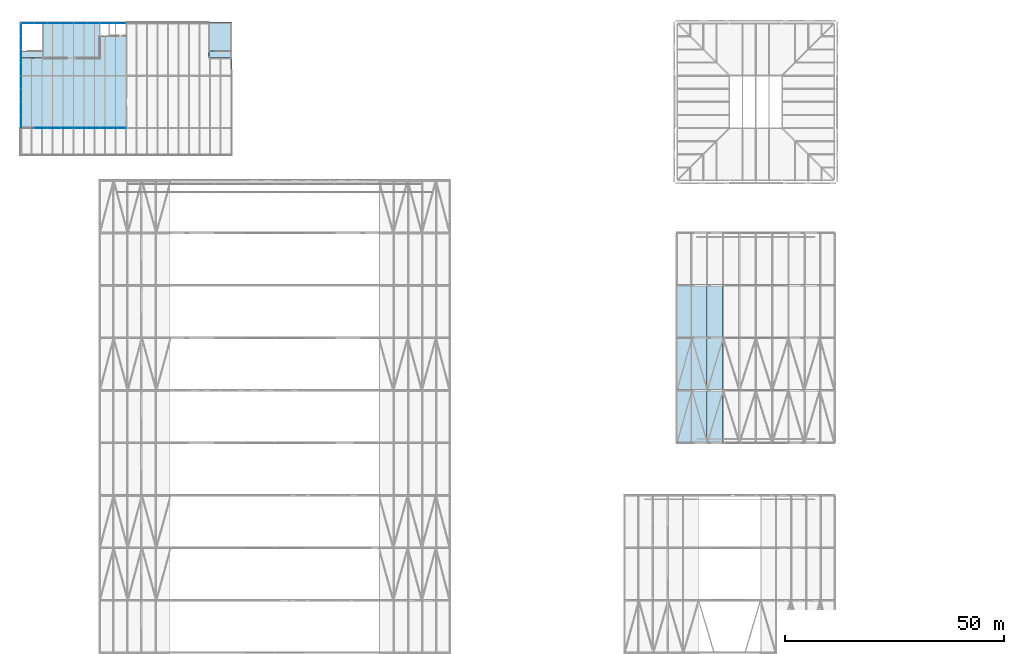
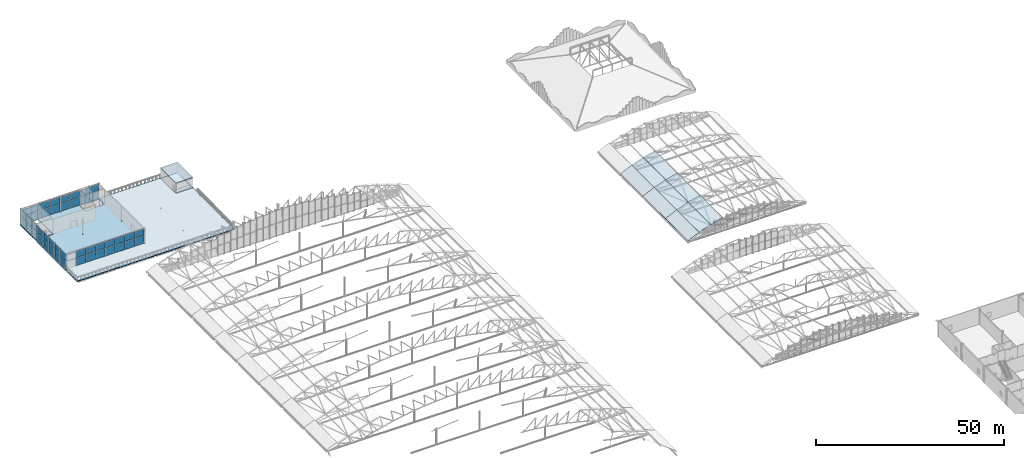
# One storey, part 253 of 321: 46 plates, 13 slabs, 3 elements without a shape of their own.
"""IFC4 building model written with IfcOpenShell, lengths in metres."""

from ifc_helpers import new_model, si_unit, direction, frame, origin, origin_2d, place, context, subcontext, project, spatial, polyline, rectangle, outline, extrude, material, layer, layer_set, type_object, element, aggregate, save


model = new_model("IFC4")

# Units and contexts
model_context = context("Model", 3, precision=1e-05, world=origin(), true_north=direction((0.0, 1.0)))
body_context = subcontext(model_context, "Body", "Model", "MODEL_VIEW")
ifc_project = project(units=[si_unit("LENGTHUNIT", "METRE"), si_unit("AREAUNIT", "SQUARE_METRE"), si_unit("VOLUMEUNIT", "CUBIC_METRE"), si_unit("PLANEANGLEUNIT", "RADIAN"), si_unit("MASSUNIT", "GRAM", prefix="KILO")], contexts=[model_context])

# Site, building, storey
site_placement = place(None, origin())
site = spatial("IfcSite", under=ifc_project, at=site_placement, CompositionType="ELEMENT")
building_placement = place(site_placement, origin())
building = spatial("IfcBuilding", under=site, at=building_placement, Name="Ravi Spectrum Wholesale Market", CompositionType="ELEMENT")
storey_placement = place(building_placement, frame((0.0, 0.0, 10.800048828125)))
storey = spatial("IfcBuildingStorey", under=building, at=storey_placement, Name="L02", CompositionType="ELEMENT", Elevation=10.800048828125)

# Slabs
ifc_material_1 = material(Name="Concrete C35/45", Category="concrete")
ifc_layer_1 = layer(ifc_material_1, 0.25)
ifc_layer_set_1 = layer_set([ifc_layer_1], Name="Concrete C35/45")
slab_type_1 = type_object("IfcSlabType", Name="Flat roof slab 250", PredefinedType="ROOF", material=ifc_layer_set_1)
slab_1_placement = place(storey_placement, frame((0.0, 0.0, -0.25)))
element("IfcSlab", 1, at=slab_1_placement, inside=storey, type_object=slab_type_1, Name="Public roof deck slab", PredefinedType="ROOF", context=body_context, shape_type="SweptSolid", body=[
    extrude(outline(polyline([(11.75, 203.75), (11.75, 234.25), (60.25, 234.25), (60.25, 203.75), (11.75, 203.75)]), holes=[polyline([(12.177734375, 203.822265625), (12.177734375, 204.177734375), (11.822265625, 204.177734375), (11.822265625, 203.822265625), (12.177734375, 203.822265625)]), polyline([(23.822265625, 203.822265625), (24.177734375, 203.822265625), (24.177734375, 204.177734375), (23.822265625, 204.177734375), (23.822265625, 203.822265625)]), polyline([(35.822265625, 203.822265625), (36.177734375, 203.822265625), (36.177734375, 204.177734375), (35.822265625, 204.177734375), (35.822265625, 203.822265625)]), polyline([(12.14990234375, 209.85009765625), (12.14990234375, 210.14990234375), (11.85009765625, 210.14990234375), (11.85009765625, 209.85009765625), (12.14990234375, 209.85009765625)]), polyline([(23.85009765625, 209.85009765625), (24.14990234375, 209.85009765625), (24.14990234375, 210.14990234375), (23.85009765625, 210.14990234375), (23.85009765625, 209.85009765625)]), polyline([(11.85009765625, 221.85009765625), (12.14990234375, 221.85009765625), (12.14990234375, 222.14990234375), (11.85009765625, 222.14990234375), (11.85009765625, 221.85009765625)]), polyline([(24.14990234375, 221.85009765625), (24.14990234375, 222.14990234375), (23.85009765625, 222.14990234375), (23.85009765625, 221.85009765625), (24.14990234375, 221.85009765625)]), polyline([(11.875, 225.875), (17.125, 225.875), (17.125, 234.125), (12.14990234375, 234.125), (12.14990234375, 234.14990234375), (11.85009765625, 234.14990234375), (11.85009765625, 233.85009765625), (11.875, 233.85009765625), (11.875, 225.875)]), polyline([(35.89990234375, 233.85009765625), (36.14990234375, 233.85009765625), (36.14990234375, 234.14990234375), (35.85009765625, 234.14990234375), (35.85009765625, 233.89990234375), (32.27490234375, 233.89990234375), (32.27490234375, 234.125), (29.875, 234.125), (29.875, 230.925048828125), (32.27490234375, 230.925048828125), (32.27490234375, 231.14990234375), (35.89990234375, 231.14990234375), (35.89990234375, 233.85009765625)]), polyline([(23.85009765625, 233.85009765625), (24.14990234375, 233.85009765625), (24.14990234375, 234.14990234375), (23.85009765625, 234.14990234375), (23.85009765625, 233.85009765625)]), polyline([(48.177734375, 203.822265625), (48.177734375, 204.177734375), (47.822265625, 204.177734375), (47.822265625, 203.822265625), (48.177734375, 203.822265625)]), polyline([(59.822265625, 203.822265625), (60.177734375, 203.822265625), (60.177734375, 204.177734375), (59.822265625, 204.177734375), (59.822265625, 203.822265625)]), polyline([(35.85009765625, 209.85009765625), (36.14990234375, 209.85009765625), (36.14990234375, 210.14990234375), (35.85009765625, 210.14990234375), (35.85009765625, 209.85009765625)]), polyline([(48.14990234375, 209.85009765625), (48.14990234375, 210.14990234375), (47.85009765625, 210.14990234375), (47.85009765625, 209.85009765625), (48.14990234375, 209.85009765625)]), polyline([(59.85009765625, 209.85009765625), (60.14990234375, 209.85009765625), (60.14990234375, 210.14990234375), (59.85009765625, 210.14990234375), (59.85009765625, 209.85009765625)]), polyline([(35.85009765625, 221.85009765625), (36.14990234375, 221.85009765625), (36.14990234375, 222.14990234375), (35.85009765625, 222.14990234375), (35.85009765625, 221.85009765625)]), polyline([(48.14990234375, 221.85009765625), (48.14990234375, 222.14990234375), (47.85009765625, 222.14990234375), (47.85009765625, 221.85009765625), (48.14990234375, 221.85009765625)]), polyline([(59.85009765625, 221.85009765625), (60.14990234375, 221.85009765625), (60.14990234375, 222.14990234375), (59.85009765625, 222.14990234375), (59.85009765625, 221.85009765625)]), polyline([(54.875, 225.875), (60.125, 225.875), (60.125, 233.85009765625), (60.14990234375, 233.85009765625), (60.14990234375, 234.14990234375), (59.85009765625, 234.14990234375), (59.85009765625, 234.125), (54.875, 234.125), (54.875, 225.875)]), polyline([(47.85009765625, 233.85009765625), (48.14990234375, 233.85009765625), (48.14990234375, 234.14990234375), (47.85009765625, 234.14990234375), (47.85009765625, 233.85009765625)])]), origin(), (0.0, 0.0, 1.0), 0.25),
])
slab_2_placement = place(storey_placement, frame((0.0, 0.0, 3.199951171875)))
element("IfcSlab", 2, at=slab_2_placement, inside=storey, type_object=slab_type_1, Name="Head house roof Stair S-OF-2", PredefinedType="ROOF", context=body_context, shape_type="SweptSolid", body=[
    extrude(outline(polyline([(60.125, 225.875), (60.125, 234.125), (54.875, 234.125), (54.875, 225.875), (60.125, 225.875)])), origin(), (0.0, 0.0, 1.0), 0.25),
])

# Curtain wall, plates
ifc_material_2 = material(Name="Aluminium 6063-T6", Category="aluminium")
ifc_layer_2 = layer(ifc_material_2, 0.14990234375)
ifc_layer_set_2 = layer_set([ifc_layer_2], Name="Aluminium 6063-T6")
curtain_wall_type = type_object("IfcCurtainWallType", Name="Curtain wall 150", PredefinedType="NOTDEFINED", material=ifc_layer_set_2)
curtain_wall_1_placement = place(storey_placement, origin())
curtain_wall_1 = element("IfcCurtainWall", 3, at=curtain_wall_1_placement, inside=storey, type_object=curtain_wall_type, Name="OF-CW-L02-001", PredefinedType="NOTDEFINED")
ifc_material_3 = material(Name="Toughened glass", Category="glass")
ifc_layer_3 = layer(ifc_material_3, 0.028076171875)
ifc_layer_set_3 = layer_set([ifc_layer_3], Name="Toughened glass")
plate_type_1 = type_object("IfcPlateType", Name="Glazing panel 28", PredefinedType="CURTAIN_PANEL", material=ifc_layer_set_3)
plate_1_placement = place(storey_placement, frame((12.0, 214.5, 0.06005859375), z_axis=(0.0, 0.0, 1.0), x_axis=(0.0, 1.0, 0.0)))
plate_1 = element("IfcPlate", 4, at=plate_1_placement, type_object=plate_type_1, Name="OF-CW-L02-001 panel 2.1", PredefinedType="CURTAIN_PANEL", context=body_context, shape_type="SweptSolid", body=[
    extrude(rectangle(XDim=2.93994140625, YDim=0.028076171875, at=origin_2d()), origin(), (0.0, 0.0, 1.0), 2.610107421875),
])
plate_2_placement = place(storey_placement, frame((12.0, 214.5, 2.72998046875), z_axis=(0.0, 0.0, 1.0), x_axis=(0.0, 1.0, 0.0)))
plate_2 = element("IfcPlate", 5, at=plate_2_placement, type_object=plate_type_1, Name="OF-CW-L02-001 panel 2.2", PredefinedType="CURTAIN_PANEL", context=body_context, shape_type="SweptSolid", body=[
    extrude(rectangle(XDim=2.93994140625, YDim=0.028076171875, at=origin_2d()), origin(), (0.0, 0.0, 1.0), 2.030029296875),
])
plate_3_placement = place(storey_placement, frame((12.0, 217.5, 0.06005859375), z_axis=(0.0, 0.0, 1.0), x_axis=(0.0, 1.0, 0.0)))
plate_3 = element("IfcPlate", 6, at=plate_3_placement, type_object=plate_type_1, Name="OF-CW-L02-001 panel 3.1", PredefinedType="CURTAIN_PANEL", context=body_context, shape_type="SweptSolid", body=[
    extrude(rectangle(XDim=2.93994140625, YDim=0.028076171875, at=origin_2d()), origin(), (0.0, 0.0, 1.0), 2.610107421875),
])
plate_4_placement = place(storey_placement, frame((12.0, 217.5, 2.72998046875), z_axis=(0.0, 0.0, 1.0), x_axis=(0.0, 1.0, 0.0)))
plate_4 = element("IfcPlate", 7, at=plate_4_placement, type_object=plate_type_1, Name="OF-CW-L02-001 panel 3.2", PredefinedType="CURTAIN_PANEL", context=body_context, shape_type="SweptSolid", body=[
    extrude(rectangle(XDim=2.93994140625, YDim=0.028076171875, at=origin_2d()), origin(), (0.0, 0.0, 1.0), 2.030029296875),
])
plate_5_placement = place(storey_placement, frame((12.0, 226.5, 0.06005859375), z_axis=(0.0, 0.0, 1.0), x_axis=(0.0, 1.0, 0.0)))
plate_5 = element("IfcPlate", 8, at=plate_5_placement, type_object=plate_type_1, Name="OF-CW-L02-001 panel 6.1", PredefinedType="CURTAIN_PANEL", context=body_context, shape_type="SweptSolid", body=[
    extrude(rectangle(XDim=2.93994140625, YDim=0.028076171875, at=origin_2d()), origin(), (0.0, 0.0, 1.0), 2.610107421875),
])
plate_6_placement = place(storey_placement, frame((12.0, 226.5, 2.72998046875), z_axis=(0.0, 0.0, 1.0), x_axis=(0.0, 1.0, 0.0)))
plate_6 = element("IfcPlate", 9, at=plate_6_placement, type_object=plate_type_1, Name="OF-CW-L02-001 panel 6.2", PredefinedType="CURTAIN_PANEL", context=body_context, shape_type="SweptSolid", body=[
    extrude(rectangle(XDim=2.93994140625, YDim=0.028076171875, at=origin_2d()), origin(), (0.0, 0.0, 1.0), 2.030029296875),
])
plate_7_placement = place(storey_placement, frame((12.0, 229.5, 0.06005859375), z_axis=(0.0, 0.0, 1.0), x_axis=(0.0, 1.0, 0.0)))
plate_7 = element("IfcPlate", 10, at=plate_7_placement, type_object=plate_type_1, Name="OF-CW-L02-001 panel 7.1", PredefinedType="CURTAIN_PANEL", context=body_context, shape_type="SweptSolid", body=[
    extrude(rectangle(XDim=2.93994140625, YDim=0.028076171875, at=origin_2d()), origin(), (0.0, 0.0, 1.0), 2.610107421875),
])
plate_8_placement = place(storey_placement, frame((12.0, 229.5, 2.72998046875), z_axis=(0.0, 0.0, 1.0), x_axis=(0.0, 1.0, 0.0)))
plate_8 = element("IfcPlate", 11, at=plate_8_placement, type_object=plate_type_1, Name="OF-CW-L02-001 panel 7.2", PredefinedType="CURTAIN_PANEL", context=body_context, shape_type="SweptSolid", body=[
    extrude(rectangle(XDim=2.93994140625, YDim=0.028076171875, at=origin_2d()), origin(), (0.0, 0.0, 1.0), 2.030029296875),
])

curtain_wall_2_placement = place(storey_placement, origin())
curtain_wall_2 = element("IfcCurtainWall", 12, at=curtain_wall_2_placement, inside=storey, type_object=curtain_wall_type, Name="OF-CW-L02-002", PredefinedType="NOTDEFINED")
plate_9_placement = place(storey_placement, frame((16.5, 210.0, 0.06005859375), z_axis=(0.0, 0.0, 1.0), x_axis=(1.0, 0.0, 0.0)))
plate_9 = element("IfcPlate", 13, at=plate_9_placement, type_object=plate_type_1, Name="OF-CW-L02-002 panel 2.1", PredefinedType="CURTAIN_PANEL", context=body_context, shape_type="SweptSolid", body=[
    extrude(rectangle(XDim=2.93994140625, YDim=0.028076171875, at=origin_2d()), origin(), (0.0, 0.0, 1.0), 2.610107421875),
])
plate_10_placement = place(storey_placement, frame((16.5, 210.0, 2.72998046875), z_axis=(0.0, 0.0, 1.0), x_axis=(1.0, 0.0, 0.0)))
plate_10 = element("IfcPlate", 14, at=plate_10_placement, type_object=plate_type_1, Name="OF-CW-L02-002 panel 2.2", PredefinedType="CURTAIN_PANEL", context=body_context, shape_type="SweptSolid", body=[
    extrude(rectangle(XDim=2.93994140625, YDim=0.028076171875, at=origin_2d()), origin(), (0.0, 0.0, 1.0), 2.030029296875),
])
plate_11_placement = place(storey_placement, frame((19.5, 210.0, 0.06005859375), z_axis=(0.0, 0.0, 1.0), x_axis=(1.0, 0.0, 0.0)))
plate_11 = element("IfcPlate", 15, at=plate_11_placement, type_object=plate_type_1, Name="OF-CW-L02-002 panel 3.1", PredefinedType="CURTAIN_PANEL", context=body_context, shape_type="SweptSolid", body=[
    extrude(rectangle(XDim=2.93994140625, YDim=0.028076171875, at=origin_2d()), origin(), (0.0, 0.0, 1.0), 2.610107421875),
])
plate_12_placement = place(storey_placement, frame((19.5, 210.0, 2.72998046875), z_axis=(0.0, 0.0, 1.0), x_axis=(1.0, 0.0, 0.0)))
plate_12 = element("IfcPlate", 16, at=plate_12_placement, type_object=plate_type_1, Name="OF-CW-L02-002 panel 3.2", PredefinedType="CURTAIN_PANEL", context=body_context, shape_type="SweptSolid", body=[
    extrude(rectangle(XDim=2.93994140625, YDim=0.028076171875, at=origin_2d()), origin(), (0.0, 0.0, 1.0), 2.030029296875),
])
plate_13_placement = place(storey_placement, frame((28.5, 210.0, 0.06005859375), z_axis=(0.0, 0.0, 1.0), x_axis=(1.0, 0.0, 0.0)))
plate_13 = element("IfcPlate", 17, at=plate_13_placement, type_object=plate_type_1, Name="OF-CW-L02-002 panel 6.1", PredefinedType="CURTAIN_PANEL", context=body_context, shape_type="SweptSolid", body=[
    extrude(rectangle(XDim=2.93994140625, YDim=0.028076171875, at=origin_2d()), origin(), (0.0, 0.0, 1.0), 2.610107421875),
])
plate_14_placement = place(storey_placement, frame((28.5, 210.0, 2.72998046875), z_axis=(0.0, 0.0, 1.0), x_axis=(1.0, 0.0, 0.0)))
plate_14 = element("IfcPlate", 18, at=plate_14_placement, type_object=plate_type_1, Name="OF-CW-L02-002 panel 6.2", PredefinedType="CURTAIN_PANEL", context=body_context, shape_type="SweptSolid", body=[
    extrude(rectangle(XDim=2.93994140625, YDim=0.028076171875, at=origin_2d()), origin(), (0.0, 0.0, 1.0), 2.030029296875),
])
plate_15_placement = place(storey_placement, frame((31.5, 210.0, 0.06005859375), z_axis=(0.0, 0.0, 1.0), x_axis=(1.0, 0.0, 0.0)))
plate_15 = element("IfcPlate", 19, at=plate_15_placement, type_object=plate_type_1, Name="OF-CW-L02-002 panel 7.1", PredefinedType="CURTAIN_PANEL", context=body_context, shape_type="SweptSolid", body=[
    extrude(rectangle(XDim=2.93994140625, YDim=0.028076171875, at=origin_2d()), origin(), (0.0, 0.0, 1.0), 2.610107421875),
])
plate_16_placement = place(storey_placement, frame((31.5, 210.0, 2.72998046875), z_axis=(0.0, 0.0, 1.0), x_axis=(1.0, 0.0, 0.0)))
plate_16 = element("IfcPlate", 20, at=plate_16_placement, type_object=plate_type_1, Name="OF-CW-L02-002 panel 7.2", PredefinedType="CURTAIN_PANEL", context=body_context, shape_type="SweptSolid", body=[
    extrude(rectangle(XDim=2.93994140625, YDim=0.028076171875, at=origin_2d()), origin(), (0.0, 0.0, 1.0), 2.030029296875),
])

curtain_wall_3_placement = place(storey_placement, origin())
curtain_wall_3 = element("IfcCurtainWall", 21, at=curtain_wall_3_placement, inside=storey, type_object=curtain_wall_type, Name="OF-CW-L02-003", PredefinedType="NOTDEFINED")
plate_17_placement = place(storey_placement, frame((16.5, 234.0, 0.06005859375), z_axis=(0.0, 0.0, 1.0), x_axis=(1.0, 0.0, 0.0)))
plate_17 = element("IfcPlate", 22, at=plate_17_placement, type_object=plate_type_1, Name="OF-CW-L02-003 panel 2.1", PredefinedType="CURTAIN_PANEL", context=body_context, shape_type="SweptSolid", body=[
    extrude(rectangle(XDim=2.93994140625, YDim=0.028076171875, at=origin_2d()), origin(), (0.0, 0.0, 1.0), 2.610107421875),
])
plate_18_placement = place(storey_placement, frame((16.5, 234.0, 2.72998046875), z_axis=(0.0, 0.0, 1.0), x_axis=(1.0, 0.0, 0.0)))
plate_18 = element("IfcPlate", 23, at=plate_18_placement, type_object=plate_type_1, Name="OF-CW-L02-003 panel 2.2", PredefinedType="CURTAIN_PANEL", context=body_context, shape_type="SweptSolid", body=[
    extrude(rectangle(XDim=2.93994140625, YDim=0.028076171875, at=origin_2d()), origin(), (0.0, 0.0, 1.0), 2.030029296875),
])
plate_19_placement = place(storey_placement, frame((19.5, 234.0, 0.06005859375), z_axis=(0.0, 0.0, 1.0), x_axis=(1.0, 0.0, 0.0)))
plate_19 = element("IfcPlate", 24, at=plate_19_placement, type_object=plate_type_1, Name="OF-CW-L02-003 panel 3.1", PredefinedType="CURTAIN_PANEL", context=body_context, shape_type="SweptSolid", body=[
    extrude(rectangle(XDim=2.93994140625, YDim=0.028076171875, at=origin_2d()), origin(), (0.0, 0.0, 1.0), 2.610107421875),
])
plate_20_placement = place(storey_placement, frame((19.5, 234.0, 2.72998046875), z_axis=(0.0, 0.0, 1.0), x_axis=(1.0, 0.0, 0.0)))
plate_20 = element("IfcPlate", 25, at=plate_20_placement, type_object=plate_type_1, Name="OF-CW-L02-003 panel 3.2", PredefinedType="CURTAIN_PANEL", context=body_context, shape_type="SweptSolid", body=[
    extrude(rectangle(XDim=2.93994140625, YDim=0.028076171875, at=origin_2d()), origin(), (0.0, 0.0, 1.0), 2.030029296875),
])
plate_21_placement = place(storey_placement, frame((28.5, 234.0, 0.06005859375), z_axis=(0.0, 0.0, 1.0), x_axis=(1.0, 0.0, 0.0)))
plate_21 = element("IfcPlate", 26, at=plate_21_placement, type_object=plate_type_1, Name="OF-CW-L02-003 panel 6.1", PredefinedType="CURTAIN_PANEL", context=body_context, shape_type="SweptSolid", body=[
    extrude(rectangle(XDim=2.93994140625, YDim=0.028076171875, at=origin_2d()), origin(), (0.0, 0.0, 1.0), 2.610107421875),
])
plate_22_placement = place(storey_placement, frame((28.5, 234.0, 2.72998046875), z_axis=(0.0, 0.0, 1.0), x_axis=(1.0, 0.0, 0.0)))
plate_22 = element("IfcPlate", 27, at=plate_22_placement, type_object=plate_type_1, Name="OF-CW-L02-003 panel 6.2", PredefinedType="CURTAIN_PANEL", context=body_context, shape_type="SweptSolid", body=[
    extrude(rectangle(XDim=2.93994140625, YDim=0.028076171875, at=origin_2d()), origin(), (0.0, 0.0, 1.0), 2.030029296875),
])
plate_23_placement = place(storey_placement, frame((31.5, 234.0, 0.06005859375), z_axis=(0.0, 0.0, 1.0), x_axis=(1.0, 0.0, 0.0)))
plate_23 = element("IfcPlate", 28, at=plate_23_placement, type_object=plate_type_1, Name="OF-CW-L02-003 panel 7.1", PredefinedType="CURTAIN_PANEL", context=body_context, shape_type="SweptSolid", body=[
    extrude(rectangle(XDim=2.93994140625, YDim=0.028076171875, at=origin_2d()), origin(), (0.0, 0.0, 1.0), 2.610107421875),
])
plate_24_placement = place(storey_placement, frame((31.5, 234.0, 2.72998046875), z_axis=(0.0, 0.0, 1.0), x_axis=(1.0, 0.0, 0.0)))
plate_24 = element("IfcPlate", 29, at=plate_24_placement, type_object=plate_type_1, Name="OF-CW-L02-003 panel 7.2", PredefinedType="CURTAIN_PANEL", context=body_context, shape_type="SweptSolid", body=[
    extrude(rectangle(XDim=2.93994140625, YDim=0.028076171875, at=origin_2d()), origin(), (0.0, 0.0, 1.0), 2.030029296875),
])

# Plate
ifc_material_4 = material(Name="Insulated panel")
ifc_layer_4 = layer(ifc_material_4, 0.028076171875)
ifc_layer_set_4 = layer_set([ifc_layer_4], Name="Insulated panel")
plate_type_2 = type_object("IfcPlateType", Name="Opaque insulated panel 28", PredefinedType="CURTAIN_PANEL", material=ifc_layer_set_4)
plate_25_placement = place(storey_placement, frame((12.0, 211.514892578125, 0.06005859375), z_axis=(0.0, 0.0, 1.0), x_axis=(0.0, 1.0, 0.0)))
plate_25 = element("IfcPlate", 30, at=plate_25_placement, type_object=plate_type_2, Name="OF-CW-L02-001 panel 1.1", PredefinedType="CURTAIN_PANEL", context=body_context, shape_type="SweptSolid", body=[
    extrude(rectangle(XDim=2.909912109375, YDim=0.028076171875, at=origin_2d()), origin(), (0.0, 0.0, 1.0), 2.610107421875),
])

plate_26_placement = place(storey_placement, frame((12.0, 211.514892578125, 2.72998046875), z_axis=(0.0, 0.0, 1.0), x_axis=(0.0, 1.0, 0.0)))
plate_26 = element("IfcPlate", 31, at=plate_26_placement, type_object=plate_type_2, Name="OF-CW-L02-001 panel 1.2", PredefinedType="CURTAIN_PANEL", context=body_context, shape_type="SweptSolid", body=[
    extrude(rectangle(XDim=2.909912109375, YDim=0.028076171875, at=origin_2d()), origin(), (0.0, 0.0, 1.0), 2.030029296875),
])

plate_27_placement = place(storey_placement, frame((12.0, 220.5, 0.06005859375), z_axis=(0.0, 0.0, 1.0), x_axis=(0.0, 1.0, 0.0)))
plate_27 = element("IfcPlate", 32, at=plate_27_placement, type_object=plate_type_2, Name="OF-CW-L02-001 panel 4.1", PredefinedType="CURTAIN_PANEL", context=body_context, shape_type="SweptSolid", body=[
    extrude(rectangle(XDim=2.93994140625, YDim=0.028076171875, at=origin_2d()), origin(), (0.0, 0.0, 1.0), 2.610107421875),
])

plate_28_placement = place(storey_placement, frame((12.0, 220.5, 2.72998046875), z_axis=(0.0, 0.0, 1.0), x_axis=(0.0, 1.0, 0.0)))
plate_28 = element("IfcPlate", 33, at=plate_28_placement, type_object=plate_type_2, Name="OF-CW-L02-001 panel 4.2", PredefinedType="CURTAIN_PANEL", context=body_context, shape_type="SweptSolid", body=[
    extrude(rectangle(XDim=2.93994140625, YDim=0.028076171875, at=origin_2d()), origin(), (0.0, 0.0, 1.0), 2.030029296875),
])

plate_29_placement = place(storey_placement, frame((12.0, 223.5, 0.06005859375), z_axis=(0.0, 0.0, 1.0), x_axis=(0.0, 1.0, 0.0)))
plate_29 = element("IfcPlate", 34, at=plate_29_placement, type_object=plate_type_2, Name="OF-CW-L02-001 panel 5.1", PredefinedType="CURTAIN_PANEL", context=body_context, shape_type="SweptSolid", body=[
    extrude(rectangle(XDim=2.93994140625, YDim=0.028076171875, at=origin_2d()), origin(), (0.0, 0.0, 1.0), 2.610107421875),
])

plate_30_placement = place(storey_placement, frame((12.0, 223.5, 2.72998046875), z_axis=(0.0, 0.0, 1.0), x_axis=(0.0, 1.0, 0.0)))
plate_30 = element("IfcPlate", 35, at=plate_30_placement, type_object=plate_type_2, Name="OF-CW-L02-001 panel 5.2", PredefinedType="CURTAIN_PANEL", context=body_context, shape_type="SweptSolid", body=[
    extrude(rectangle(XDim=2.93994140625, YDim=0.028076171875, at=origin_2d()), origin(), (0.0, 0.0, 1.0), 2.030029296875),
])

plate_31_placement = place(storey_placement, frame((12.0, 232.485107421875, 0.06005859375), z_axis=(0.0, 0.0, 1.0), x_axis=(0.0, 1.0, 0.0)))
plate_31 = element("IfcPlate", 36, at=plate_31_placement, type_object=plate_type_2, Name="OF-CW-L02-001 panel 8.1", PredefinedType="CURTAIN_PANEL", context=body_context, shape_type="SweptSolid", body=[
    extrude(rectangle(XDim=2.909912109375, YDim=0.028076171875, at=origin_2d()), origin(), (0.0, 0.0, 1.0), 2.610107421875),
])

plate_32_placement = place(storey_placement, frame((12.0, 232.485107421875, 2.72998046875), z_axis=(0.0, 0.0, 1.0), x_axis=(0.0, 1.0, 0.0)))
plate_32 = element("IfcPlate", 37, at=plate_32_placement, type_object=plate_type_2, Name="OF-CW-L02-001 panel 8.2", PredefinedType="CURTAIN_PANEL", context=body_context, shape_type="SweptSolid", body=[
    extrude(rectangle(XDim=2.909912109375, YDim=0.028076171875, at=origin_2d()), origin(), (0.0, 0.0, 1.0), 2.030029296875),
])

aggregate(curtain_wall_1, [plate_25, plate_26, plate_1, plate_2, plate_3, plate_4, plate_27, plate_28, plate_29, plate_30, plate_5, plate_6, plate_7, plate_8, plate_31, plate_32])

plate_33_placement = place(storey_placement, frame((22.5, 210.0, 0.06005859375), z_axis=(0.0, 0.0, 1.0), x_axis=(1.0, 0.0, 0.0)))
plate_33 = element("IfcPlate", 38, at=plate_33_placement, type_object=plate_type_2, Name="OF-CW-L02-002 panel 4.1", PredefinedType="CURTAIN_PANEL", context=body_context, shape_type="SweptSolid", body=[
    extrude(rectangle(XDim=2.93994140625, YDim=0.028076171875, at=origin_2d()), origin(), (0.0, 0.0, 1.0), 2.610107421875),
])

plate_34_placement = place(storey_placement, frame((22.5, 210.0, 2.72998046875), z_axis=(0.0, 0.0, 1.0), x_axis=(1.0, 0.0, 0.0)))
plate_34 = element("IfcPlate", 39, at=plate_34_placement, type_object=plate_type_2, Name="OF-CW-L02-002 panel 4.2", PredefinedType="CURTAIN_PANEL", context=body_context, shape_type="SweptSolid", body=[
    extrude(rectangle(XDim=2.93994140625, YDim=0.028076171875, at=origin_2d()), origin(), (0.0, 0.0, 1.0), 2.030029296875),
])

plate_35_placement = place(storey_placement, frame((25.5, 210.0, 0.06005859375), z_axis=(0.0, 0.0, 1.0), x_axis=(1.0, 0.0, 0.0)))
plate_35 = element("IfcPlate", 40, at=plate_35_placement, type_object=plate_type_2, Name="OF-CW-L02-002 panel 5.1", PredefinedType="CURTAIN_PANEL", context=body_context, shape_type="SweptSolid", body=[
    extrude(rectangle(XDim=2.93994140625, YDim=0.028076171875, at=origin_2d()), origin(), (0.0, 0.0, 1.0), 2.610107421875),
])

plate_36_placement = place(storey_placement, frame((25.5, 210.0, 2.72998046875), z_axis=(0.0, 0.0, 1.0), x_axis=(1.0, 0.0, 0.0)))
plate_36 = element("IfcPlate", 41, at=plate_36_placement, type_object=plate_type_2, Name="OF-CW-L02-002 panel 5.2", PredefinedType="CURTAIN_PANEL", context=body_context, shape_type="SweptSolid", body=[
    extrude(rectangle(XDim=2.93994140625, YDim=0.028076171875, at=origin_2d()), origin(), (0.0, 0.0, 1.0), 2.030029296875),
])

plate_37_placement = place(storey_placement, frame((34.485107421875, 210.0, 0.06005859375), z_axis=(0.0, 0.0, 1.0), x_axis=(1.0, 0.0, 0.0)))
plate_37 = element("IfcPlate", 42, at=plate_37_placement, type_object=plate_type_2, Name="OF-CW-L02-002 panel 8.1", PredefinedType="CURTAIN_PANEL", context=body_context, shape_type="SweptSolid", body=[
    extrude(rectangle(XDim=2.909912109375, YDim=0.028076171875, at=origin_2d()), origin(), (0.0, 0.0, 1.0), 2.610107421875),
])

plate_38_placement = place(storey_placement, frame((34.485107421875, 210.0, 2.72998046875), z_axis=(0.0, 0.0, 1.0), x_axis=(1.0, 0.0, 0.0)))
plate_38 = element("IfcPlate", 43, at=plate_38_placement, type_object=plate_type_2, Name="OF-CW-L02-002 panel 8.2", PredefinedType="CURTAIN_PANEL", context=body_context, shape_type="SweptSolid", body=[
    extrude(rectangle(XDim=2.909912109375, YDim=0.028076171875, at=origin_2d()), origin(), (0.0, 0.0, 1.0), 2.030029296875),
])

aggregate(curtain_wall_2, [plate_9, plate_10, plate_11, plate_12, plate_33, plate_34, plate_35, plate_36, plate_13, plate_14, plate_15, plate_16, plate_37, plate_38])

plate_39_placement = place(storey_placement, frame((13.514892578125, 234.0, 0.06005859375), z_axis=(0.0, 0.0, 1.0), x_axis=(1.0, 0.0, 0.0)))
plate_39 = element("IfcPlate", 44, at=plate_39_placement, type_object=plate_type_2, Name="OF-CW-L02-003 panel 1.1", PredefinedType="CURTAIN_PANEL", context=body_context, shape_type="SweptSolid", body=[
    extrude(rectangle(XDim=2.909912109375, YDim=0.028076171875, at=origin_2d()), origin(), (0.0, 0.0, 1.0), 2.610107421875),
])

plate_40_placement = place(storey_placement, frame((13.514892578125, 234.0, 2.72998046875), z_axis=(0.0, 0.0, 1.0), x_axis=(1.0, 0.0, 0.0)))
plate_40 = element("IfcPlate", 45, at=plate_40_placement, type_object=plate_type_2, Name="OF-CW-L02-003 panel 1.2", PredefinedType="CURTAIN_PANEL", context=body_context, shape_type="SweptSolid", body=[
    extrude(rectangle(XDim=2.909912109375, YDim=0.028076171875, at=origin_2d()), origin(), (0.0, 0.0, 1.0), 2.030029296875),
])

plate_41_placement = place(storey_placement, frame((22.5, 234.0, 0.06005859375), z_axis=(0.0, 0.0, 1.0), x_axis=(1.0, 0.0, 0.0)))
plate_41 = element("IfcPlate", 46, at=plate_41_placement, type_object=plate_type_2, Name="OF-CW-L02-003 panel 4.1", PredefinedType="CURTAIN_PANEL", context=body_context, shape_type="SweptSolid", body=[
    extrude(rectangle(XDim=2.93994140625, YDim=0.028076171875, at=origin_2d()), origin(), (0.0, 0.0, 1.0), 2.610107421875),
])

plate_42_placement = place(storey_placement, frame((22.5, 234.0, 2.72998046875), z_axis=(0.0, 0.0, 1.0), x_axis=(1.0, 0.0, 0.0)))
plate_42 = element("IfcPlate", 47, at=plate_42_placement, type_object=plate_type_2, Name="OF-CW-L02-003 panel 4.2", PredefinedType="CURTAIN_PANEL", context=body_context, shape_type="SweptSolid", body=[
    extrude(rectangle(XDim=2.93994140625, YDim=0.028076171875, at=origin_2d()), origin(), (0.0, 0.0, 1.0), 2.030029296875),
])

plate_43_placement = place(storey_placement, frame((25.5, 234.0, 0.06005859375), z_axis=(0.0, 0.0, 1.0), x_axis=(1.0, 0.0, 0.0)))
plate_43 = element("IfcPlate", 48, at=plate_43_placement, type_object=plate_type_2, Name="OF-CW-L02-003 panel 5.1", PredefinedType="CURTAIN_PANEL", context=body_context, shape_type="SweptSolid", body=[
    extrude(rectangle(XDim=2.93994140625, YDim=0.028076171875, at=origin_2d()), origin(), (0.0, 0.0, 1.0), 2.610107421875),
])

plate_44_placement = place(storey_placement, frame((25.5, 234.0, 2.72998046875), z_axis=(0.0, 0.0, 1.0), x_axis=(1.0, 0.0, 0.0)))
plate_44 = element("IfcPlate", 49, at=plate_44_placement, type_object=plate_type_2, Name="OF-CW-L02-003 panel 5.2", PredefinedType="CURTAIN_PANEL", context=body_context, shape_type="SweptSolid", body=[
    extrude(rectangle(XDim=2.93994140625, YDim=0.028076171875, at=origin_2d()), origin(), (0.0, 0.0, 1.0), 2.030029296875),
])

plate_45_placement = place(storey_placement, frame((34.485107421875, 234.0, 0.06005859375), z_axis=(0.0, 0.0, 1.0), x_axis=(1.0, 0.0, 0.0)))
plate_45 = element("IfcPlate", 50, at=plate_45_placement, type_object=plate_type_2, Name="OF-CW-L02-003 panel 8.1", PredefinedType="CURTAIN_PANEL", context=body_context, shape_type="SweptSolid", body=[
    extrude(rectangle(XDim=2.909912109375, YDim=0.028076171875, at=origin_2d()), origin(), (0.0, 0.0, 1.0), 2.610107421875),
])

plate_46_placement = place(storey_placement, frame((34.485107421875, 234.0, 2.72998046875), z_axis=(0.0, 0.0, 1.0), x_axis=(1.0, 0.0, 0.0)))
plate_46 = element("IfcPlate", 51, at=plate_46_placement, type_object=plate_type_2, Name="OF-CW-L02-003 panel 8.2", PredefinedType="CURTAIN_PANEL", context=body_context, shape_type="SweptSolid", body=[
    extrude(rectangle(XDim=2.909912109375, YDim=0.028076171875, at=origin_2d()), origin(), (0.0, 0.0, 1.0), 2.030029296875),
])

aggregate(curtain_wall_3, [plate_39, plate_40, plate_17, plate_18, plate_19, plate_20, plate_41, plate_42, plate_43, plate_44, plate_21, plate_22, plate_23, plate_24, plate_45, plate_46])

# Slabs
ifc_material_5 = material(Name="Steel S355", Category="steel")
ifc_layer_5 = layer(ifc_material_5, 0.1201171875)
ifc_layer_set_5 = layer_set([ifc_layer_5], Name="Steel S355")
slab_type_2 = type_object("IfcSlabType", Name="Roof panel 120", PredefinedType="ROOF", material=ifc_layer_set_5)
slab_3_placement = place(storey_placement, frame((161.757568359375, 138.0, 0.467041015625), z_axis=(-0.426827636959, 0.0, 0.904332996372), x_axis=(0.904332996372, 0.0, 0.426827636959)))
element("IfcSlab", 52, at=slab_3_placement, inside=storey, type_object=slab_type_2, Name="H3-SL-L02-001", PredefinedType="ROOF", context=body_context, shape_type="SweptSolid", body=[
    extrude(outline(polyline([(0.0, 0.0), (3.7865658114718594, 0.0), (3.7865658114718594, 12.0), (0.0, 12.0), (0.0, 0.0)])), origin(), (0.0, 0.0, -1.0), 0.1201171875),
])
slab_4_placement = place(storey_placement, frame((165.192626953125, 138.0, 2.087646484375), z_axis=(-0.3363118898, 0.0, 0.941750663806), x_axis=(0.941750663806, 0.0, 0.3363118898)))
element("IfcSlab", 53, at=slab_4_placement, inside=storey, type_object=slab_type_2, Name="H3-SL-L02-002", PredefinedType="ROOF", context=body_context, shape_type="SweptSolid", body=[
    extrude(outline(polyline([(0.0, 0.0), (3.7864777863154533, 0.0), (3.7864777863154533, 12.0), (0.0, 12.0), (0.0, 0.0)])), origin(), (0.0, 0.0, -1.0), 0.1201171875),
])
slab_5_placement = place(storey_placement, frame((168.769775390625, 138.0, 3.364501953125), z_axis=(-0.242550795335, 0.0, 0.970138707445), x_axis=(0.970138707445, 0.0, 0.242550795335)))
element("IfcSlab", 54, at=slab_5_placement, inside=storey, type_object=slab_type_2, Name="H3-SL-L02-003", PredefinedType="ROOF", context=body_context, shape_type="SweptSolid", body=[
    extrude(outline(polyline([(0.0, 0.0), (3.7866585017016074, 0.0), (3.7866585017016074, 12.0), (0.0, 12.0), (0.0, 0.0)])), origin(), (0.0, 0.0, -1.0), 0.1201171875),
])
slab_6_placement = place(storey_placement, frame((161.757568359375, 150.0, 0.467041015625), z_axis=(-0.426827636959, 0.0, 0.904332996372), x_axis=(0.904332996372, 0.0, 0.426827636959)))
element("IfcSlab", 55, at=slab_6_placement, inside=storey, type_object=slab_type_2, Name="H3-SL-L02-011", PredefinedType="ROOF", context=body_context, shape_type="SweptSolid", body=[
    extrude(outline(polyline([(0.0, 0.0), (3.7865658114718594, 0.0), (3.7865658114718594, 12.0), (0.0, 12.0), (0.0, 0.0)])), origin(), (0.0, 0.0, -1.0), 0.1201171875),
])
slab_7_placement = place(storey_placement, frame((165.192626953125, 150.0, 2.087646484375), z_axis=(-0.3363118898, 0.0, 0.941750663806), x_axis=(0.941750663806, 0.0, 0.3363118898)))
element("IfcSlab", 56, at=slab_7_placement, inside=storey, type_object=slab_type_2, Name="H3-SL-L02-012", PredefinedType="ROOF", context=body_context, shape_type="SweptSolid", body=[
    extrude(outline(polyline([(0.0, 0.0), (3.7864777863154533, 0.0), (3.7864777863154533, 12.0), (0.0, 12.0), (0.0, 0.0)])), origin(), (0.0, 0.0, -1.0), 0.1201171875),
])
slab_8_placement = place(storey_placement, frame((168.769775390625, 150.0, 3.364501953125), z_axis=(-0.242550795335, 0.0, 0.970138707445), x_axis=(0.970138707445, 0.0, 0.242550795335)))
element("IfcSlab", 57, at=slab_8_placement, inside=storey, type_object=slab_type_2, Name="H3-SL-L02-013", PredefinedType="ROOF", context=body_context, shape_type="SweptSolid", body=[
    extrude(outline(polyline([(0.0, 0.0), (3.7866585017016074, 0.0), (3.7866585017016074, 12.0), (0.0, 12.0), (0.0, 0.0)])), origin(), (0.0, 0.0, -1.0), 0.1201171875),
])
slab_9_placement = place(storey_placement, frame((161.757568359375, 162.0, 0.467041015625), z_axis=(-0.426827636959, 0.0, 0.904332996372), x_axis=(0.904332996372, 0.0, 0.426827636959)))
element("IfcSlab", 58, at=slab_9_placement, inside=storey, type_object=slab_type_2, Name="H3-SL-L02-021", PredefinedType="ROOF", context=body_context, shape_type="SweptSolid", body=[
    extrude(outline(polyline([(0.0, 0.0), (3.7865658114718594, 0.0), (3.7865658114718594, 12.0), (0.0, 12.0), (0.0, 0.0)])), origin(), (0.0, 0.0, -1.0), 0.1201171875),
])
slab_10_placement = place(storey_placement, frame((165.192626953125, 162.0, 2.087646484375), z_axis=(-0.3363118898, 0.0, 0.941750663806), x_axis=(0.941750663806, 0.0, 0.3363118898)))
element("IfcSlab", 59, at=slab_10_placement, inside=storey, type_object=slab_type_2, Name="H3-SL-L02-022", PredefinedType="ROOF", context=body_context, shape_type="SweptSolid", body=[
    extrude(outline(polyline([(0.0, 0.0), (3.7864777863154533, 0.0), (3.7864777863154533, 12.0), (0.0, 12.0), (0.0, 0.0)])), origin(), (0.0, 0.0, -1.0), 0.1201171875),
])
slab_11_placement = place(storey_placement, frame((168.769775390625, 162.0, 3.364501953125), z_axis=(-0.242550795335, 0.0, 0.970138707445), x_axis=(0.970138707445, 0.0, 0.242550795335)))
element("IfcSlab", 60, at=slab_11_placement, inside=storey, type_object=slab_type_2, Name="H3-SL-L02-023", PredefinedType="ROOF", context=body_context, shape_type="SweptSolid", body=[
    extrude(outline(polyline([(0.0, 0.0), (3.7866585017016074, 0.0), (3.7866585017016074, 12.0), (0.0, 12.0), (0.0, 0.0)])), origin(), (0.0, 0.0, -1.0), 0.1201171875),
])
ifc_material_6 = material(Name="Concrete C35/45", Category="concrete")
ifc_layer_6 = layer(ifc_material_6, 0.199951171875)
ifc_layer_set_6 = layer_set([ifc_layer_6], Name="Concrete C35/45")
slab_type_3 = type_object("IfcSlabType", Name="Stair landing 200", PredefinedType="LANDING", material=ifc_layer_set_6)
slab_12_placement = place(storey_placement, frame((0.0, 0.0, -0.199951171875)))
element("IfcSlab", 61, at=slab_12_placement, inside=storey, type_object=slab_type_3, Name="OF-SL-L02-S-OF-1-ARR", PredefinedType="LANDING", context=body_context, shape_type="SweptSolid", body=[
    extrude(outline(polyline([(16.875, 226.125), (16.875, 227.60009765625), (12.125, 227.60009765625), (12.125, 226.125), (16.875, 226.125)])), origin(), (0.0, 0.0, 1.0), 0.199951171875),
])
slab_13_placement = place(storey_placement, frame((0.0, 0.0, -0.199951171875)))
element("IfcSlab", 62, at=slab_13_placement, inside=storey, type_object=slab_type_3, Name="OF-SL-L02-S-OF-2-ARR", PredefinedType="LANDING", context=body_context, shape_type="SweptSolid", body=[
    extrude(outline(polyline([(59.875, 226.125), (59.875, 227.60009765625), (55.125, 227.60009765625), (55.125, 226.125), (59.875, 226.125)])), origin(), (0.0, 0.0, 1.0), 0.199951171875),
])

save(model, "model.ifc")
